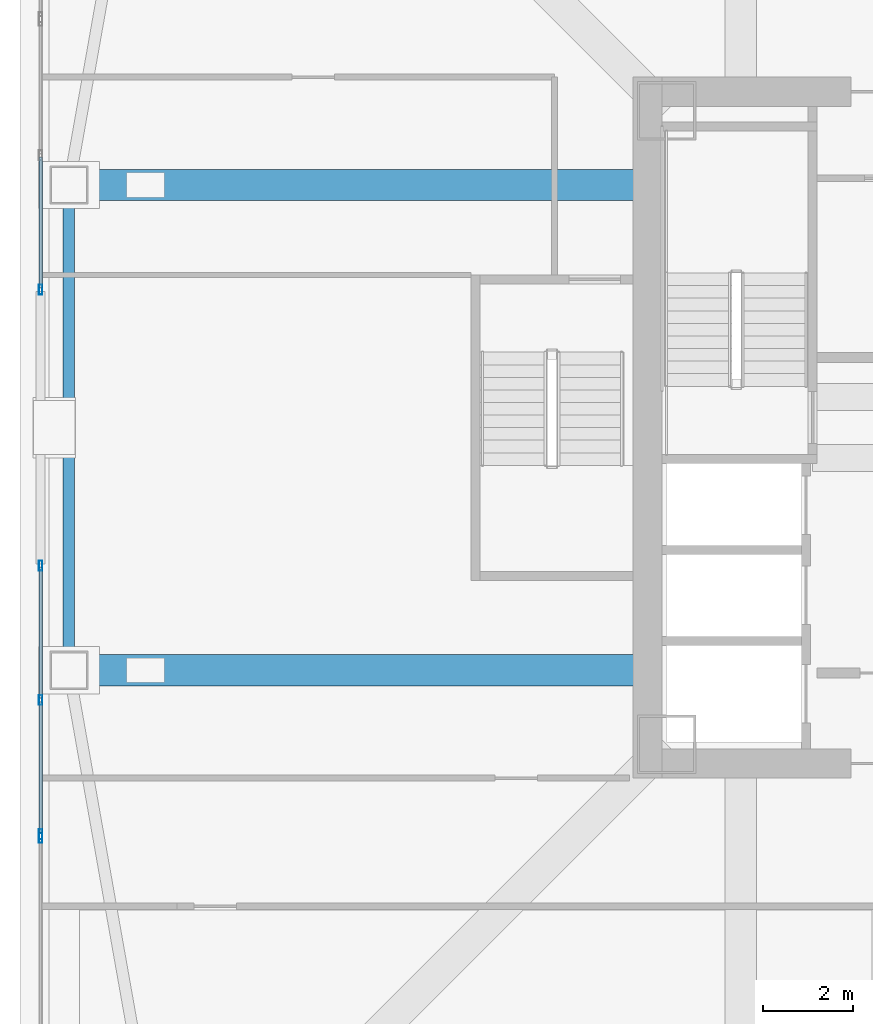
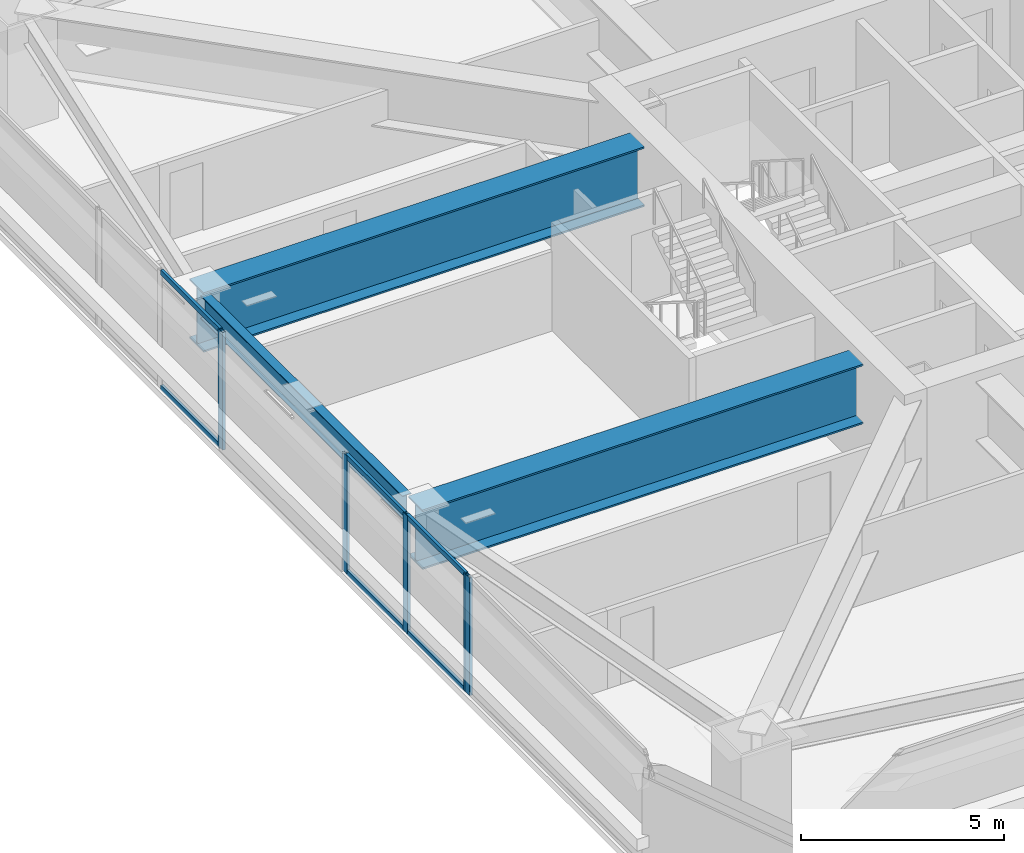
# One storey, part 6 of 49: 11 members, 3 beams, 3 elements without a shape of their own.
"""IFC4 building model written with IfcOpenShell, lengths in metres."""

import ifcopenshell
import ifcopenshell.guid

model = None  # the IFC model being written
_history = None  # IfcOwnerHistory: only IFC2X3 demands one
_inside = {}  # id of a spatial element -> (the spatial element, [elements in it])
_under = {}  # id of a project, library or spatial element -> (it, [spatial elements below it])
_declared = {}  # id of a project -> (the project, [libraries it declares])
_typed = {}  # id of a type object -> (the type object, [elements of that type])
_made_of = {}  # id of a material, layer set ... -> (it, [elements and type objects made of it])


def new_model(schema):
    """Start an empty IFC model of exactly this schema.

    Asked for "IFC4X3", IfcOpenShell would pick the latest addendum, in which some entities
    have other attributes; the version numbers below select the first issue.
    IFC2X3 requires an IfcOwnerHistory on every rooted entity: one is made here for all.
    """
    global model, _history
    if schema == "IFC4X3":
        model = ifcopenshell.file(schema_version=(4, 3, 0, 0))
    else:
        model = ifcopenshell.file(schema=schema)
    _inside.clear()
    _under.clear()
    _declared.clear()
    _typed.clear()
    _made_of.clear()
    _history = None
    if model.schema == "IFC2X3":
        org = make("IfcOrganization", Name="unknown")
        user = make(
            "IfcPersonAndOrganization",
            ThePerson=make("IfcPerson", FamilyName="unknown"),
            TheOrganization=org,
        )
        app = make(
            "IfcApplication",
            ApplicationDeveloper=org,
            Version="unknown",
            ApplicationFullName="unknown",
            ApplicationIdentifier="unknown",
        )
        _history = make(
            "IfcOwnerHistory",
            OwningUser=user,
            OwningApplication=app,
            ChangeAction="ADDED",
            CreationDate=0,
        )
    return model


def make(cls, **values):
    """One entity of the class cls with the attributes given. An attribute that is None is left unset."""
    return model.create_entity(
        cls, **{name: value for name, value in values.items() if value is not None}
    )


def rooted(cls, **values):
    """An entity with a GlobalId (a new one), such as an element, a storey or a relation."""
    return make(cls, GlobalId=ifcopenshell.guid.new(), OwnerHistory=_history, **values)


def si_unit(unit_type, name, prefix=None):
    """IfcSIUnit, for example si_unit("LENGTHUNIT", "METRE", prefix="MILLI")."""
    return make("IfcSIUnit", UnitType=unit_type, Prefix=prefix, Name=name)


def assignment(units):
    """IfcUnitAssignment: the units of a project."""
    return None if units is None else make("IfcUnitAssignment", Units=units)


def point(xyz):
    """IfcCartesianPoint."""
    return None if xyz is None else make("IfcCartesianPoint", Coordinates=xyz)


def direction(xyz):
    """IfcDirection."""
    return None if xyz is None else make("IfcDirection", DirectionRatios=xyz)


def frame(location, z_axis=None, x_axis=None):
    """IfcAxis2Placement3D, a coordinate frame: its origin and axes. An axis left out is left unset."""
    return make(
        "IfcAxis2Placement3D",
        Location=point(location),
        Axis=direction(z_axis),
        RefDirection=direction(x_axis),
    )


def frame_2d(location, x_axis=None):
    """IfcAxis2Placement2D, a coordinate frame in the plane: its origin and x axis."""
    return make(
        "IfcAxis2Placement2D", Location=point(location), RefDirection=direction(x_axis)
    )


def origin():
    """The frame at (0, 0, 0) with its axes left unset."""
    return frame((0.0, 0.0, 0.0))


def origin_2d():
    """The frame at (0, 0) in the plane with its x axis left unset."""
    return frame_2d((0.0, 0.0))


def place(relative_to, where):
    """IfcLocalPlacement: puts the frame where relative to a parent placement (None: the world)."""
    return make(
        "IfcLocalPlacement", PlacementRelTo=relative_to, RelativePlacement=where
    )


def context(
    kind, dimensions, precision=None, world=None, true_north=None, identifier=None
):
    """IfcGeometricRepresentationContext, for example the 3D "Model" context."""
    return make(
        "IfcGeometricRepresentationContext",
        ContextIdentifier=identifier,
        ContextType=kind,
        CoordinateSpaceDimension=dimensions,
        Precision=precision,
        WorldCoordinateSystem=world,
        TrueNorth=true_north,
    )


def subcontext(parent, identifier, kind, view, scale=None):
    """IfcGeometricRepresentationSubContext, for example "Body" below "Model"."""
    return make(
        "IfcGeometricRepresentationSubContext",
        ContextIdentifier=identifier,
        ContextType=kind,
        ParentContext=parent,
        TargetScale=scale,
        TargetView=view,
    )


def project(units=None, contexts=None):
    """IfcProject with its units and contexts."""
    return rooted(
        "IfcProject",
        Name="project",
        RepresentationContexts=contexts,
        UnitsInContext=assignment(units),
    )


def spatial(cls, under=None, at=None, **own):
    """A site, building, storey or space (cls), placed at a placement, below another one or the project."""
    s = rooted(cls, ObjectPlacement=at, **own)
    if under is not None:
        _under.setdefault(under.id(), (under, []))[1].append(s)
    return s


def profile(cls, at=None, kind="AREA", **sizes):
    """A parametric profile (cls). Its sizes go by their IFC names, for example OverallWidth=200.0."""
    return make(cls, ProfileType=kind, Position=at, **sizes)


def hollow_rectangle(**sizes):
    """IfcRectangleHollowProfileDef."""
    return profile("IfcRectangleHollowProfileDef", **sizes)


def i_section(**sizes):
    """IfcIShapeProfileDef."""
    return profile("IfcIShapeProfileDef", **sizes)


def extrude(swept, where, along, depth):
    """IfcExtrudedAreaSolid: the profile swept, set in the frame where, extruded along a direction by depth."""
    return make(
        "IfcExtrudedAreaSolid",
        SweptArea=swept,
        Position=where,
        ExtrudedDirection=direction(along),
        Depth=depth,
    )


def shape(context_of_items, identifier, shape_type, items):
    """IfcShapeRepresentation: the items that make up one representation, for example the "Body"."""
    return make(
        "IfcShapeRepresentation",
        ContextOfItems=context_of_items,
        RepresentationIdentifier=identifier,
        RepresentationType=shape_type,
        Items=items,
    )


def material(Name=None, Category=None):
    """IfcMaterial."""
    return make("IfcMaterial", Name=Name, Category=Category)


def material_profile(
    of_material, cross_section, Name=None, Category=None, Priority=None
):
    """IfcMaterialProfile: a cross section and its material."""
    return make(
        "IfcMaterialProfile",
        Name=Name,
        Material=of_material,
        Profile=cross_section,
        Priority=Priority,
        Category=Category,
    )


def profile_set(profiles, Name=None, composite=None):
    """IfcMaterialProfileSet."""
    return make(
        "IfcMaterialProfileSet",
        Name=Name,
        MaterialProfiles=profiles,
        CompositeProfile=composite,
    )


def made_of(thing, what):
    """Note that an element or type object is made of a material, layer set ...; save() writes the relation."""
    if what is not None:
        _made_of.setdefault(what.id(), (what, []))[1].append(thing)
    return thing


def type_object(cls, material=None, **own):
    """A type object (cls), such as IfcWallType, which elements share."""
    return made_of(rooted(cls, **own), material)


def element(
    cls,
    number,
    at=None,
    inside=None,
    cuts=None,
    type_object=None,
    material=None,
    context=None,
    identifier="Body",
    shape_type=None,
    held_by="IfcProductDefinitionShape",
    body=None,
    shapes=None,
    **own,
):
    """One element of the class cls, such as IfcWall. Its Tag is "e" and its number.

    at: its placement. inside: the storey or other place that contains it. cuts: it is an
    opening in that element (IfcRelVoidsElement). A single representation is given by context,
    identifier, shape_type and body (its items); several are given by shapes. held_by: the class
    of the entity that holds the representations. save() writes the other relations.
    """
    e = rooted(cls, Tag="e%d" % number, ObjectPlacement=at, **own)
    if body is not None:
        shapes = [shape(context, identifier, shape_type, body)]
    if shapes is not None:
        e.Representation = make(held_by, Representations=shapes)
    if inside is not None:
        _inside.setdefault(inside.id(), (inside, []))[1].append(e)
    if cuts is not None:
        rooted(
            "IfcRelVoidsElement", RelatingBuildingElement=cuts, RelatedOpeningElement=e
        )
    if type_object is not None:
        _typed.setdefault(type_object.id(), (type_object, []))[1].append(e)
    return made_of(e, material)


def aggregate(whole, parts):
    """IfcRelAggregates: a whole, such as a stair, and the parts it consists of."""
    return rooted("IfcRelAggregates", RelatingObject=whole, RelatedObjects=parts)


def save(model, path):
    """Write the relations noted so far, then the file.

    IfcRelAggregates (storeys below a building ...), IfcRelContainedInSpatialStructure (elements
    in a storey), IfcRelDefinesByType, IfcRelAssociatesMaterial and IfcRelDeclares: one each for
    every whole, place, type object, material and project.
    """
    for whole, parts in _under.values():
        aggregate(whole, parts)
    for where, things in _inside.values():
        rooted(
            "IfcRelContainedInSpatialStructure",
            RelatedElements=things,
            RelatingStructure=where,
        )
    for kind, things in _typed.values():
        rooted("IfcRelDefinesByType", RelatedObjects=things, RelatingType=kind)
    for what, things in _made_of.values():
        rooted("IfcRelAssociatesMaterial", RelatedObjects=things, RelatingMaterial=what)
    for by, libraries in _declared.values():
        rooted("IfcRelDeclares", RelatingContext=by, RelatedDefinitions=libraries)
    model.write(path)


model = new_model("IFC4")

# Units and contexts
model_context = context("Model", 3, precision=1e-05, world=origin(), true_north=direction((0.0, 1.0)))
body_context = subcontext(model_context, "Body", "Model", "MODEL_VIEW")
ifc_project = project(units=[si_unit("LENGTHUNIT", "METRE"), si_unit("AREAUNIT", "SQUARE_METRE"), si_unit("VOLUMEUNIT", "CUBIC_METRE"), si_unit("PLANEANGLEUNIT", "RADIAN"), si_unit("MASSUNIT", "GRAM", prefix="KILO")], contexts=[model_context])

# Site, building, storey
site_placement = place(None, origin())
site = spatial("IfcSite", under=ifc_project, at=site_placement, CompositionType="ELEMENT")
building_placement = place(site_placement, origin())
building = spatial("IfcBuilding", under=site, at=building_placement, Name="Tashvorn Skyway Center", CompositionType="ELEMENT")
storey_placement = place(building_placement, frame((0.0, 0.0, 106.25)))
storey = spatial("IfcBuildingStorey", under=building, at=storey_placement, Name="L28", CompositionType="ELEMENT", Elevation=106.25)

# Beams
ifc_material_1 = material(Name="Steel ASTM A572 Grade 50", Category="steel")
ifc_material_profile_1 = material_profile(ifc_material_1, i_section(OverallWidth=0.699951171875, OverallDepth=1.800048828125, WebThickness=0.031982421875, FlangeThickness=0.050048828125, at=origin_2d()), Name="PG1800x700")
ifc_profile_set_1 = profile_set([ifc_material_profile_1], Name="Steel ASTM A572 Grade 50")
beam_type_1 = type_object("IfcBeamType", Name="BM-BEAM-PG1800x700", PredefinedType="BEAM", material=ifc_profile_set_1)
for number, where, z_axis, x_axis, name in (
    (1, (21.64990234375, 37.39990234375, 2.35009765625), (1.0, 0.0, 0.0), (0.0, 1.0, 0.0), "Tower 1 L28 Setback Transfer Girder FC-W1"),
    (2, (21.64990234375, 26.60009765625, 2.35009765625), (1.0, 0.0, 0.0), (0.0, 1.0, 0.0), "Tower 1 L28 Setback Transfer Girder FC-W2"),
):
    element("IfcBeam", number, at=place(storey_placement, frame(where, z_axis=z_axis, x_axis=x_axis)), inside=storey, type_object=beam_type_1, Name=name, PredefinedType="BEAM", context=body_context, shape_type="SweptSolid", body=[
        extrude(i_section(OverallWidth=0.699951171875, OverallDepth=1.800048828125, WebThickness=0.031982421875, FlangeThickness=0.050048828125, at=origin_2d()), origin(), (0.0, 0.0, 1.0), 12.570068359375),
    ])
ifc_material_2 = material(Name="Steel ASTM A992 Grade 50", Category="steel")
ifc_material_profile_2 = material_profile(ifc_material_2, i_section(OverallWidth=0.256103515625, OverallDepth=0.693115234375, WebThickness=0.014404296875, FlangeThickness=0.023681640625, at=origin_2d()), Name="W27X114")
ifc_profile_set_2 = profile_set([ifc_material_profile_2], Name="Steel ASTM A992 Grade 50")
beam_type_2 = type_object("IfcBeamType", Name="BM-SPANDREL-W27X114", PredefinedType="SPANDREL", material=ifc_profile_set_2)
beam_placement = place(storey_placement, frame((21.64990234375, 36.97998046875, 2.903564453125), z_axis=(0.0, -1.0, 0.0), x_axis=(1.0, 0.0, 0.0)))
element("IfcBeam", 3, at=beam_placement, inside=storey, type_object=beam_type_2, Name="Tower 1 L28 Spandrel Beam 11", PredefinedType="SPANDREL", context=body_context, shape_type="SweptSolid", body=[
    extrude(i_section(OverallWidth=0.256103515625, OverallDepth=0.693115234375, WebThickness=0.014404296875, FlangeThickness=0.023681640625, at=origin_2d()), origin(), (0.0, 0.0, 1.0), 9.9599609375),
])

# Curtain wall, member
ifc_material_3 = material(Name="Thermally broken bronze-anodized aluminium 6063-T6", Category="aluminium")
curtain_wall_type = type_object("IfcCurtainWallType", Name="CW-CW-Z2", PredefinedType="NOTDEFINED", material=ifc_material_3)
curtain_wall_1_placement = place(storey_placement, origin())
curtain_wall_1 = element("IfcCurtainWall", 4, at=curtain_wall_1_placement, inside=storey, type_object=curtain_wall_type, Name="Tower 1 L28 West Unitised Curtain Wall Glazing Group 1", PredefinedType="NOTDEFINED")
ifc_material_profile_3 = material_profile(ifc_material_3, hollow_rectangle(XDim=0.080078125, YDim=0.219970703125, WallThickness=0.0048828125, at=origin_2d()), Name="ALU-MULL-80x220")
ifc_profile_set_3 = profile_set([ifc_material_profile_3], Name="Thermally broken bronze-anodized aluminium 6063-T6")
member_type_1 = type_object("IfcMemberType", Name="CWM-CW-Z2", PredefinedType="MULLION", material=ifc_profile_set_3)
member_1_placement = place(storey_placement, frame((21.02001953125, 22.8701171875, 0.0), z_axis=(0.0, 0.0, 1.0), x_axis=(-1.0, 0.0, 0.0)))
member_1 = element("IfcMember", 5, at=member_1_placement, type_object=member_type_1, Name="CW-Z2 mullion 2", PredefinedType="MULLION", context=body_context, shape_type="SweptSolid", body=[
    extrude(hollow_rectangle(XDim=0.080078125, YDim=0.219970703125, WallThickness=0.0048828125, at=origin_2d()), origin(), (0.0, 0.0, 1.0), 3.550048828125),
])
aggregate(curtain_wall_1, [member_1])

# Curtain wall, members
curtain_wall_2_placement = place(storey_placement, origin())
curtain_wall_2 = element("IfcCurtainWall", 6, at=curtain_wall_2_placement, inside=storey, type_object=curtain_wall_type, Name="Tower 1 L28 West Unitised Curtain Wall Glazing Group 2", PredefinedType="NOTDEFINED")
member_2_placement = place(storey_placement, frame((21.02001953125, 22.949951171875, 0.0), z_axis=(0.0, 0.0, 1.0), x_axis=(-1.0, 0.0, 0.0)))
member_2 = element("IfcMember", 7, at=member_2_placement, type_object=member_type_1, Name="CW-Z2 mullion 1", PredefinedType="MULLION", context=body_context, shape_type="SweptSolid", body=[
    extrude(hollow_rectangle(XDim=0.080078125, YDim=0.219970703125, WallThickness=0.0048828125, at=origin_2d()), origin(), (0.0, 0.0, 1.0), 3.550048828125),
])
member_3_placement = place(storey_placement, frame((21.02001953125, 25.93994140625, 0.0), z_axis=(0.0, 0.0, 1.0), x_axis=(-1.0, 0.0, 0.0)))
member_3 = element("IfcMember", 8, at=member_3_placement, type_object=member_type_1, Name="CW-Z2 mullion 2", PredefinedType="MULLION", context=body_context, shape_type="SweptSolid", body=[
    extrude(hollow_rectangle(XDim=0.080078125, YDim=0.219970703125, WallThickness=0.0048828125, at=origin_2d()), origin(), (0.0, 0.0, 1.0), 3.550048828125),
])
member_4_placement = place(storey_placement, frame((21.02001953125, 28.929931640625, 0.0), z_axis=(0.0, 0.0, 1.0), x_axis=(-1.0, 0.0, 0.0)))
member_4 = element("IfcMember", 9, at=member_4_placement, type_object=member_type_1, Name="CW-Z2 mullion 3", PredefinedType="MULLION", context=body_context, shape_type="SweptSolid", body=[
    extrude(hollow_rectangle(XDim=0.080078125, YDim=0.219970703125, WallThickness=0.0048828125, at=origin_2d()), origin(), (0.0, 0.0, 1.0), 3.550048828125),
])

# Curtain wall, member
curtain_wall_3_placement = place(storey_placement, origin())
curtain_wall_3 = element("IfcCurtainWall", 10, at=curtain_wall_3_placement, inside=storey, type_object=curtain_wall_type, Name="Tower 1 L28 West Unitised Curtain Wall Glazing Group 3", PredefinedType="NOTDEFINED")
member_5_placement = place(storey_placement, frame((21.02001953125, 35.070068359375, 0.0), z_axis=(0.0, 0.0, 1.0), x_axis=(-1.0, 0.0, 0.0)))
member_5 = element("IfcMember", 11, at=member_5_placement, type_object=member_type_1, Name="CW-Z2 mullion 1", PredefinedType="MULLION", context=body_context, shape_type="SweptSolid", body=[
    extrude(hollow_rectangle(XDim=0.080078125, YDim=0.219970703125, WallThickness=0.0048828125, at=origin_2d()), origin(), (0.0, 0.0, 1.0), 3.550048828125),
])

# Member
ifc_material_profile_4 = material_profile(ifc_material_3, hollow_rectangle(XDim=0.080078125, YDim=0.14990234375, WallThickness=0.00439453125, at=origin_2d()), Name="ALU-TRAN-80x150")
ifc_profile_set_4 = profile_set([ifc_material_profile_4], Name="Thermally broken bronze-anodized aluminium 6063-T6")
member_type_2 = type_object("IfcMemberType", Name="CWT-CW-Z2", PredefinedType="USERDEFINED", material=ifc_profile_set_4)
member_6_placement = place(storey_placement, frame((21.02001953125, 22.989990234375, 0.0400390625), z_axis=(0.0, 1.0, 0.0), x_axis=(-1.0, 0.0, 0.0)))
member_6 = element("IfcMember", 12, at=member_6_placement, type_object=member_type_2, Name="CW-Z2 transom 1.1", ObjectType="TRANSOM", PredefinedType="USERDEFINED", context=body_context, shape_type="SweptSolid", body=[
    extrude(hollow_rectangle(XDim=0.080078125, YDim=0.14990234375, WallThickness=0.00439453125, at=origin_2d()), origin(), (0.0, 0.0, 1.0), 2.909912109375),
])

member_7_placement = place(storey_placement, frame((21.02001953125, 22.989990234375, 3.510009765625), z_axis=(0.0, 1.0, 0.0), x_axis=(-1.0, 0.0, 0.0)))
member_7 = element("IfcMember", 13, at=member_7_placement, type_object=member_type_2, Name="CW-Z2 transom 1.2", ObjectType="TRANSOM", PredefinedType="USERDEFINED", context=body_context, shape_type="SweptSolid", body=[
    extrude(hollow_rectangle(XDim=0.080078125, YDim=0.14990234375, WallThickness=0.00439453125, at=origin_2d()), origin(), (0.0, 0.0, 1.0), 2.909912109375),
])

member_8_placement = place(storey_placement, frame((21.02001953125, 25.97998046875, 0.0400390625), z_axis=(0.0, 1.0, 0.0), x_axis=(-1.0, 0.0, 0.0)))
member_8 = element("IfcMember", 14, at=member_8_placement, type_object=member_type_2, Name="CW-Z2 transom 2.1", ObjectType="TRANSOM", PredefinedType="USERDEFINED", context=body_context, shape_type="SweptSolid", body=[
    extrude(hollow_rectangle(XDim=0.080078125, YDim=0.14990234375, WallThickness=0.00439453125, at=origin_2d()), origin(), (0.0, 0.0, 1.0), 2.909912109375),
])

member_9_placement = place(storey_placement, frame((21.02001953125, 25.97998046875, 3.510009765625), z_axis=(0.0, 1.0, 0.0), x_axis=(-1.0, 0.0, 0.0)))
member_9 = element("IfcMember", 15, at=member_9_placement, type_object=member_type_2, Name="CW-Z2 transom 2.2", ObjectType="TRANSOM", PredefinedType="USERDEFINED", context=body_context, shape_type="SweptSolid", body=[
    extrude(hollow_rectangle(XDim=0.080078125, YDim=0.14990234375, WallThickness=0.00439453125, at=origin_2d()), origin(), (0.0, 0.0, 1.0), 2.909912109375),
])

aggregate(curtain_wall_2, [member_2, member_3, member_4, member_6, member_7, member_8, member_9])

member_10_placement = place(storey_placement, frame((21.02001953125, 35.110107421875, 0.0400390625), z_axis=(0.0, 1.0, 0.0), x_axis=(-1.0, 0.0, 0.0)))
member_10 = element("IfcMember", 16, at=member_10_placement, type_object=member_type_2, Name="CW-Z2 transom 1.1", ObjectType="TRANSOM", PredefinedType="USERDEFINED", context=body_context, shape_type="SweptSolid", body=[
    extrude(hollow_rectangle(XDim=0.080078125, YDim=0.14990234375, WallThickness=0.00439453125, at=origin_2d()), origin(), (0.0, 0.0, 1.0), 2.909912109375),
])

member_11_placement = place(storey_placement, frame((21.02001953125, 35.110107421875, 3.510009765625), z_axis=(0.0, 1.0, 0.0), x_axis=(-1.0, 0.0, 0.0)))
member_11 = element("IfcMember", 17, at=member_11_placement, type_object=member_type_2, Name="CW-Z2 transom 1.2", ObjectType="TRANSOM", PredefinedType="USERDEFINED", context=body_context, shape_type="SweptSolid", body=[
    extrude(hollow_rectangle(XDim=0.080078125, YDim=0.14990234375, WallThickness=0.00439453125, at=origin_2d()), origin(), (0.0, 0.0, 1.0), 2.909912109375),
])

aggregate(curtain_wall_3, [member_5, member_10, member_11])

save(model, "model.ifc")
